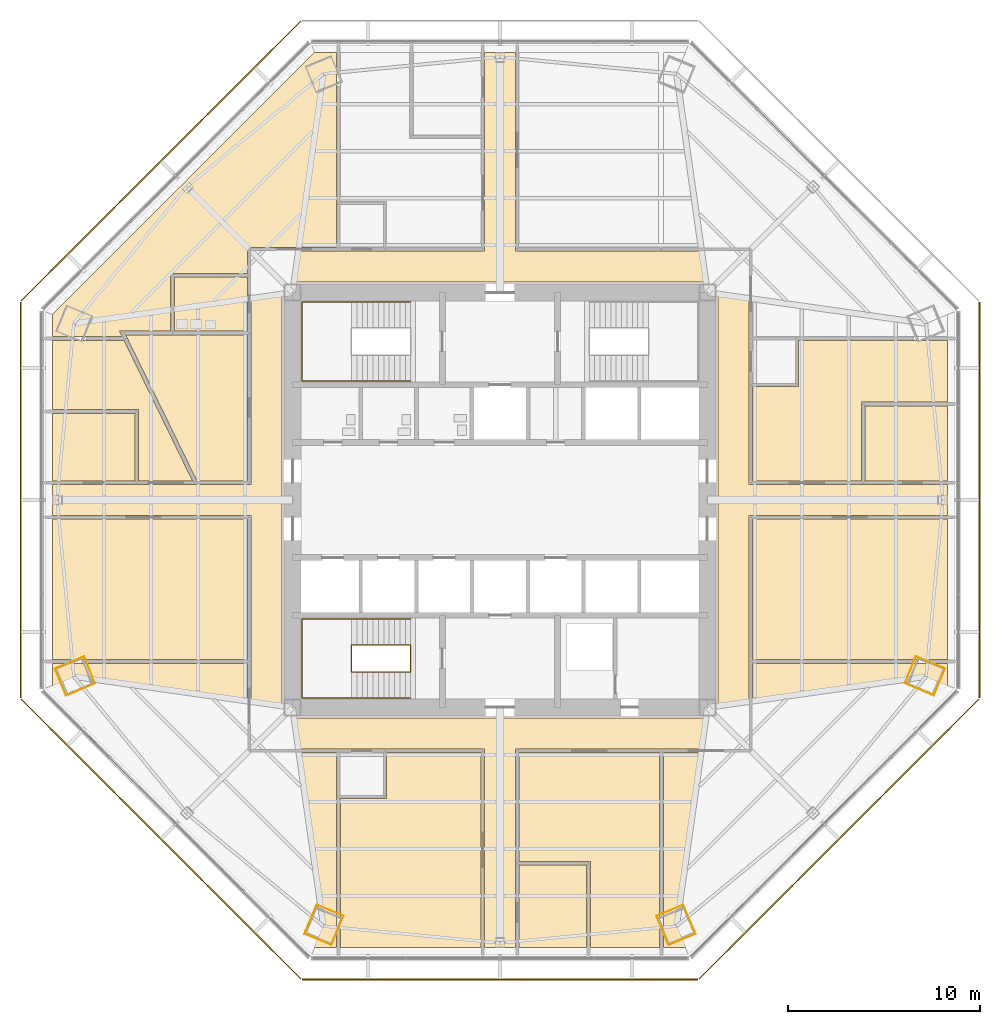
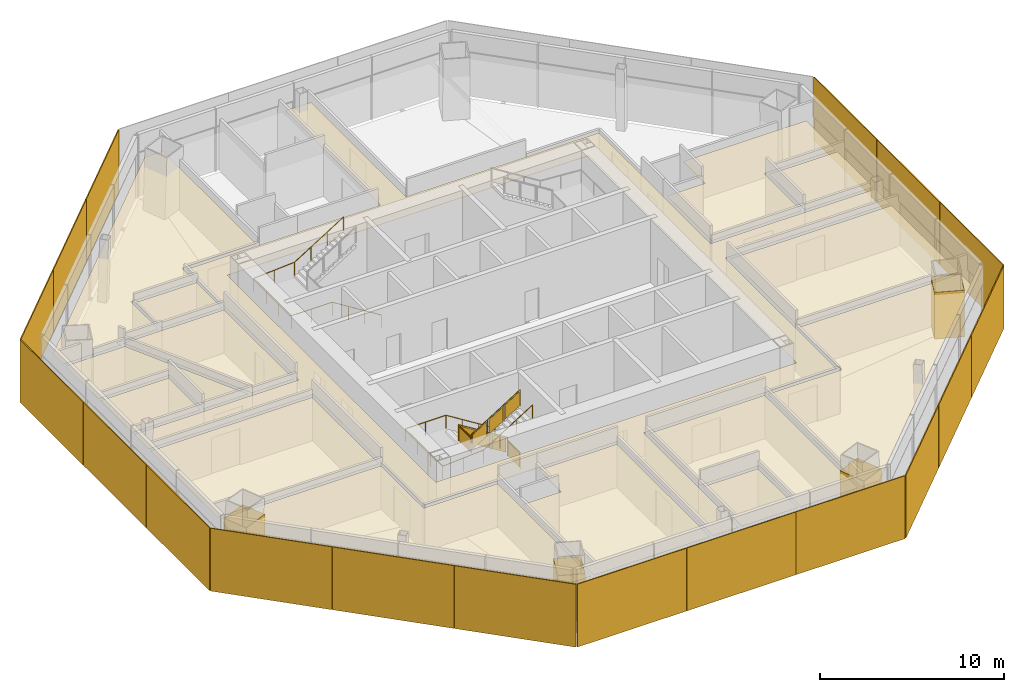
# One storey, part 12 of 14: 19 coverings, 18 shading devices, 3 railings.
"""IFC4 building model written with IfcOpenShell, lengths in metres."""

import ifcopenshell
import ifcopenshell.guid

model = None  # the IFC model being written
_history = None  # IfcOwnerHistory: only IFC2X3 demands one
_inside = {}  # id of a spatial element -> (the spatial element, [elements in it])
_under = {}  # id of a project, library or spatial element -> (it, [spatial elements below it])
_declared = {}  # id of a project -> (the project, [libraries it declares])
_typed = {}  # id of a type object -> (the type object, [elements of that type])
_made_of = {}  # id of a material, layer set ... -> (it, [elements and type objects made of it])


def new_model(schema):
    """Start an empty IFC model of exactly this schema.

    Asked for "IFC4X3", IfcOpenShell would pick the latest addendum, in which some entities
    have other attributes; the version numbers below select the first issue.
    IFC2X3 requires an IfcOwnerHistory on every rooted entity: one is made here for all.
    """
    global model, _history
    if schema == "IFC4X3":
        model = ifcopenshell.file(schema_version=(4, 3, 0, 0))
    else:
        model = ifcopenshell.file(schema=schema)
    _inside.clear()
    _under.clear()
    _declared.clear()
    _typed.clear()
    _made_of.clear()
    _history = None
    if model.schema == "IFC2X3":
        org = make("IfcOrganization", Name="unknown")
        user = make(
            "IfcPersonAndOrganization",
            ThePerson=make("IfcPerson", FamilyName="unknown"),
            TheOrganization=org,
        )
        app = make(
            "IfcApplication",
            ApplicationDeveloper=org,
            Version="unknown",
            ApplicationFullName="unknown",
            ApplicationIdentifier="unknown",
        )
        _history = make(
            "IfcOwnerHistory",
            OwningUser=user,
            OwningApplication=app,
            ChangeAction="ADDED",
            CreationDate=0,
        )
    return model


def make(cls, **values):
    """One entity of the class cls with the attributes given. An attribute that is None is left unset."""
    return model.create_entity(
        cls, **{name: value for name, value in values.items() if value is not None}
    )


def rooted(cls, **values):
    """An entity with a GlobalId (a new one), such as an element, a storey or a relation."""
    return make(cls, GlobalId=ifcopenshell.guid.new(), OwnerHistory=_history, **values)


def si_unit(unit_type, name, prefix=None):
    """IfcSIUnit, for example si_unit("LENGTHUNIT", "METRE", prefix="MILLI")."""
    return make("IfcSIUnit", UnitType=unit_type, Prefix=prefix, Name=name)


def assignment(units):
    """IfcUnitAssignment: the units of a project."""
    return None if units is None else make("IfcUnitAssignment", Units=units)


def point(xyz):
    """IfcCartesianPoint."""
    return None if xyz is None else make("IfcCartesianPoint", Coordinates=xyz)


def direction(xyz):
    """IfcDirection."""
    return None if xyz is None else make("IfcDirection", DirectionRatios=xyz)


def frame(location, z_axis=None, x_axis=None):
    """IfcAxis2Placement3D, a coordinate frame: its origin and axes. An axis left out is left unset."""
    return make(
        "IfcAxis2Placement3D",
        Location=point(location),
        Axis=direction(z_axis),
        RefDirection=direction(x_axis),
    )


def frame_2d(location, x_axis=None):
    """IfcAxis2Placement2D, a coordinate frame in the plane: its origin and x axis."""
    return make(
        "IfcAxis2Placement2D", Location=point(location), RefDirection=direction(x_axis)
    )


def origin():
    """The frame at (0, 0, 0) with its axes left unset."""
    return frame((0.0, 0.0, 0.0))


def origin_2d():
    """The frame at (0, 0) in the plane with its x axis left unset."""
    return frame_2d((0.0, 0.0))


def place(relative_to, where):
    """IfcLocalPlacement: puts the frame where relative to a parent placement (None: the world)."""
    return make(
        "IfcLocalPlacement", PlacementRelTo=relative_to, RelativePlacement=where
    )


def context(
    kind, dimensions, precision=None, world=None, true_north=None, identifier=None
):
    """IfcGeometricRepresentationContext, for example the 3D "Model" context."""
    return make(
        "IfcGeometricRepresentationContext",
        ContextIdentifier=identifier,
        ContextType=kind,
        CoordinateSpaceDimension=dimensions,
        Precision=precision,
        WorldCoordinateSystem=world,
        TrueNorth=true_north,
    )


def subcontext(parent, identifier, kind, view, scale=None):
    """IfcGeometricRepresentationSubContext, for example "Body" below "Model"."""
    return make(
        "IfcGeometricRepresentationSubContext",
        ContextIdentifier=identifier,
        ContextType=kind,
        ParentContext=parent,
        TargetScale=scale,
        TargetView=view,
    )


def project(units=None, contexts=None):
    """IfcProject with its units and contexts."""
    return rooted(
        "IfcProject",
        Name="project",
        RepresentationContexts=contexts,
        UnitsInContext=assignment(units),
    )


def spatial(cls, under=None, at=None, **own):
    """A site, building, storey or space (cls), placed at a placement, below another one or the project."""
    s = rooted(cls, ObjectPlacement=at, **own)
    if under is not None:
        _under.setdefault(under.id(), (under, []))[1].append(s)
    return s


def polyline(points):
    """IfcPolyline through the points."""
    return make("IfcPolyline", Points=[point(p) for p in points])


def profile(cls, at=None, kind="AREA", **sizes):
    """A parametric profile (cls). Its sizes go by their IFC names, for example OverallWidth=200.0."""
    return make(cls, ProfileType=kind, Position=at, **sizes)


def rectangle(**sizes):
    """IfcRectangleProfileDef."""
    return profile("IfcRectangleProfileDef", **sizes)


def circle(**sizes):
    """IfcCircleProfileDef."""
    return profile("IfcCircleProfileDef", **sizes)


def outline(outer, holes=None, kind="AREA"):
    """IfcArbitraryClosedProfileDef: a profile drawn as a closed curve; with holes, ...WithVoids."""
    if holes is None:
        return make("IfcArbitraryClosedProfileDef", ProfileType=kind, OuterCurve=outer)
    return make(
        "IfcArbitraryProfileDefWithVoids",
        ProfileType=kind,
        OuterCurve=outer,
        InnerCurves=holes,
    )


def extrude(swept, where, along, depth):
    """IfcExtrudedAreaSolid: the profile swept, set in the frame where, extruded along a direction by depth."""
    return make(
        "IfcExtrudedAreaSolid",
        SweptArea=swept,
        Position=where,
        ExtrudedDirection=direction(along),
        Depth=depth,
    )


def shape(context_of_items, identifier, shape_type, items):
    """IfcShapeRepresentation: the items that make up one representation, for example the "Body"."""
    return make(
        "IfcShapeRepresentation",
        ContextOfItems=context_of_items,
        RepresentationIdentifier=identifier,
        RepresentationType=shape_type,
        Items=items,
    )


def source(mapping_origin, context_of_items, identifier, shape_type, items):
    """IfcRepresentationMap: a shape defined once, which mapped items show again and again."""
    return make(
        "IfcRepresentationMap",
        MappingOrigin=mapping_origin,
        MappedRepresentation=shape(context_of_items, identifier, shape_type, items),
    )


def transform(
    local_origin,
    x_axis=None,
    y_axis=None,
    z_axis=None,
    scale=None,
    scale2=None,
    scale3=None,
    uniform=True,
):
    """IfcCartesianTransformationOperator3D, or its non-uniform kind. x_axis, y_axis, z_axis: its Axis1, 2, 3."""
    if uniform:
        return make(
            "IfcCartesianTransformationOperator3D",
            Axis1=direction(x_axis),
            Axis2=direction(y_axis),
            LocalOrigin=point(local_origin),
            Scale=scale,
            Axis3=direction(z_axis),
        )
    return make(
        "IfcCartesianTransformationOperator3DnonUniform",
        Axis1=direction(x_axis),
        Axis2=direction(y_axis),
        LocalOrigin=point(local_origin),
        Scale=scale,
        Axis3=direction(z_axis),
        Scale2=scale2,
        Scale3=scale3,
    )


def mapped(mapping_source, mapping_target):
    """IfcMappedItem: shows the shape of a source again, moved by a transform."""
    return make(
        "IfcMappedItem", MappingSource=mapping_source, MappingTarget=mapping_target
    )


def material(Name=None, Category=None):
    """IfcMaterial."""
    return make("IfcMaterial", Name=Name, Category=Category)


def layer(
    of_material, thickness, ventilated=None, Name=None, Category=None, Priority=None
):
    """IfcMaterialLayer: one layer of a wall or slab, of a material (None: an air gap)."""
    return make(
        "IfcMaterialLayer",
        Material=of_material,
        LayerThickness=thickness,
        IsVentilated=ventilated,
        Name=Name,
        Category=Category,
        Priority=Priority,
    )


def layer_set(layers, Name=None):
    """IfcMaterialLayerSet."""
    return make("IfcMaterialLayerSet", MaterialLayers=layers, LayerSetName=Name)


def made_of(thing, what):
    """Note that an element or type object is made of a material, layer set ...; save() writes the relation."""
    if what is not None:
        _made_of.setdefault(what.id(), (what, []))[1].append(thing)
    return thing


def type_object(cls, material=None, **own):
    """A type object (cls), such as IfcWallType, which elements share."""
    return made_of(rooted(cls, **own), material)


def type_shapes(of_type, sources):
    """Give a type object the sources (RepresentationMaps) that its elements show as mapped items."""
    of_type.RepresentationMaps = sources


def element(
    cls,
    number,
    at=None,
    inside=None,
    cuts=None,
    type_object=None,
    material=None,
    context=None,
    identifier="Body",
    shape_type=None,
    held_by="IfcProductDefinitionShape",
    body=None,
    shapes=None,
    **own,
):
    """One element of the class cls, such as IfcWall. Its Tag is "e" and its number.

    at: its placement. inside: the storey or other place that contains it. cuts: it is an
    opening in that element (IfcRelVoidsElement). A single representation is given by context,
    identifier, shape_type and body (its items); several are given by shapes. held_by: the class
    of the entity that holds the representations. save() writes the other relations.
    """
    e = rooted(cls, Tag="e%d" % number, ObjectPlacement=at, **own)
    if body is not None:
        shapes = [shape(context, identifier, shape_type, body)]
    if shapes is not None:
        e.Representation = make(held_by, Representations=shapes)
    if inside is not None:
        _inside.setdefault(inside.id(), (inside, []))[1].append(e)
    if cuts is not None:
        rooted(
            "IfcRelVoidsElement", RelatingBuildingElement=cuts, RelatedOpeningElement=e
        )
    if type_object is not None:
        _typed.setdefault(type_object.id(), (type_object, []))[1].append(e)
    return made_of(e, material)


def aggregate(whole, parts):
    """IfcRelAggregates: a whole, such as a stair, and the parts it consists of."""
    return rooted("IfcRelAggregates", RelatingObject=whole, RelatedObjects=parts)


def save(model, path):
    """Write the relations noted so far, then the file.

    IfcRelAggregates (storeys below a building ...), IfcRelContainedInSpatialStructure (elements
    in a storey), IfcRelDefinesByType, IfcRelAssociatesMaterial and IfcRelDeclares: one each for
    every whole, place, type object, material and project.
    """
    for whole, parts in _under.values():
        aggregate(whole, parts)
    for where, things in _inside.values():
        rooted(
            "IfcRelContainedInSpatialStructure",
            RelatedElements=things,
            RelatingStructure=where,
        )
    for kind, things in _typed.values():
        rooted("IfcRelDefinesByType", RelatedObjects=things, RelatingType=kind)
    for what, things in _made_of.values():
        rooted("IfcRelAssociatesMaterial", RelatedObjects=things, RelatingMaterial=what)
    for by, libraries in _declared.values():
        rooted("IfcRelDeclares", RelatingContext=by, RelatedDefinitions=libraries)
    model.write(path)


model = new_model("IFC4")

# Units and contexts
model_context = context("Model", 3, precision=1e-05, world=origin(), true_north=direction((0.0, 1.0)))
body_context = subcontext(model_context, "Body", "Model", "MODEL_VIEW")
ifc_project = project(units=[si_unit("LENGTHUNIT", "METRE"), si_unit("AREAUNIT", "SQUARE_METRE"), si_unit("VOLUMEUNIT", "CUBIC_METRE"), si_unit("PLANEANGLEUNIT", "RADIAN"), si_unit("MASSUNIT", "GRAM", prefix="KILO")], contexts=[model_context])

# Site, building, storey
site_placement = place(None, origin())
site = spatial("IfcSite", under=ifc_project, at=site_placement, CompositionType="ELEMENT")
building_placement = place(site_placement, origin())
building = spatial("IfcBuilding", under=site, at=building_placement, Name="Mashrafa Tower", CompositionType="ELEMENT")
storey_placement = place(building_placement, frame((0.0, 0.0, 147.0)))
storey = spatial("IfcBuildingStorey", under=building, at=storey_placement, Name="L33", CompositionType="ELEMENT", Elevation=147.0)

# Coverings
ifc_material_1 = material(Name="Gypsum board")
ifc_layer_1 = layer(ifc_material_1, 0.014892578125)
ifc_layer_set_1 = layer_set([ifc_layer_1], Name="Column casing plasterboard 15")
covering_type_1 = type_object("IfcCoveringType", Name="Column casing plasterboard 15", PredefinedType="CLADDING", material=ifc_layer_set_1)
covering_1_placement = place(storey_placement, origin())
element("IfcCovering", 1, at=covering_1_placement, inside=storey, type_object=covering_type_1, Name="Column casing L33-001", PredefinedType="CLADDING", context=body_context, shape_type="SweptSolid", body=[
    extrude(outline(polyline([(-23.177978515625, -8.772705078125), (-21.777587890625, -8.192626953125), (-21.64501953125, -8.1376953125), (-21.059326171875, -9.551025390625), (-22.459716796875, -10.131103515625), (-22.59228515625, -10.18603515625), (-23.177978515625, -8.772705078125)]), holes=[polyline([(-22.465576171875, -10.1171875), (-21.0791015625, -9.54296875), (-21.653076171875, -8.1572265625), (-21.77197265625, -8.206298828125), (-23.158203125, -8.78076171875), (-22.584228515625, -10.16650390625), (-22.465576171875, -10.1171875)])]), origin(), (0.0, 0.0, 1.0), 3.097900390625),
])
covering_2_placement = place(storey_placement, origin())
element("IfcCovering", 2, at=covering_2_placement, inside=storey, type_object=covering_type_1, Name="Column casing L33-002", PredefinedType="CLADDING", context=body_context, shape_type="SweptSolid", body=[
    extrude(outline(polyline([(-10.18603515625, -22.59228515625), (-10.131103515625, -22.459716796875), (-9.551025390625, -21.059326171875), (-8.1376953125, -21.64501953125), (-8.192626953125, -21.777587890625), (-8.772705078125, -23.177978515625), (-10.18603515625, -22.59228515625)]), holes=[polyline([(-8.206298828125, -21.77197265625), (-8.1572265625, -21.653076171875), (-9.54296875, -21.0791015625), (-10.1171875, -22.465576171875), (-10.16650390625, -22.584228515625), (-8.78076171875, -23.158203125), (-8.206298828125, -21.77197265625)])]), origin(), (0.0, 0.0, 1.0), 3.097900390625),
])
covering_3_placement = place(storey_placement, origin())
element("IfcCovering", 3, at=covering_3_placement, inside=storey, type_object=covering_type_1, Name="Column casing L33-003", PredefinedType="CLADDING", context=body_context, shape_type="SweptSolid", body=[
    extrude(outline(polyline([(8.192626953125, -21.777587890625), (8.1376953125, -21.64501953125), (9.551025390625, -21.059326171875), (10.131103515625, -22.459716796875), (10.18603515625, -22.59228515625), (8.772705078125, -23.177978515625), (8.192626953125, -21.777587890625)]), holes=[polyline([(10.16650390625, -22.584228515625), (10.1171875, -22.465576171875), (9.54296875, -21.0791015625), (8.1572265625, -21.653076171875), (8.206298828125, -21.77197265625), (8.78076171875, -23.158203125), (10.16650390625, -22.584228515625)])]), origin(), (0.0, 0.0, 1.0), 3.097900390625),
])
covering_4_placement = place(storey_placement, origin())
element("IfcCovering", 4, at=covering_4_placement, inside=storey, type_object=covering_type_1, Name="Column casing L33-004", PredefinedType="CLADDING", context=body_context, shape_type="SweptSolid", body=[
    extrude(outline(polyline([(22.459716796875, -10.131103515625), (21.059326171875, -9.551025390625), (21.64501953125, -8.1376953125), (21.777587890625, -8.192626953125), (23.177978515625, -8.772705078125), (22.59228515625, -10.18603515625), (22.459716796875, -10.131103515625)]), holes=[polyline([(23.158203125, -8.78076171875), (21.77197265625, -8.206298828125), (21.653076171875, -8.1572265625), (21.0791015625, -9.54296875), (22.465576171875, -10.1171875), (22.584228515625, -10.16650390625), (23.158203125, -8.78076171875)])]), origin(), (0.0, 0.0, 1.0), 3.097900390625),
])

# Railings
ifc_material_2 = material(Name="Steel guard with glass infill", Category="steel")
railing_type_1 = type_object("IfcRailingType", Name="Stair guard 1100", PredefinedType="GUARDRAIL", material=ifc_material_2)
railing_1_placement = place(storey_placement, frame((-4.64990234375, -8.949951171875, 0.0)))
element("IfcRailing", 5, at=railing_1_placement, inside=storey, type_object=railing_type_1, Name="Stair S3 guard L33", PredefinedType="GUARDRAIL", context=body_context, shape_type="SweptSolid", body=[
    extrude(circle(Radius=0.02392578125, at=origin_2d()), frame((0.0, 0.0, 1.076171875), z_axis=(0.0, 1.0, 0.0), x_axis=(-1.0, 0.0, 0.0)), (0.0, 0.0, 1.0), 1.39990234375),
    extrude(circle(Radius=0.02392578125, at=origin_2d()), frame((0.0, 1.39990234375, 1.076171875), z_axis=(0.0, 0.0, 1.0), x_axis=(1.0, 0.0, 0.0)), (0.0, 0.0, 1.0), 0.175048828125),
    extrude(circle(Radius=0.02392578125, at=origin_2d()), frame((0.0, 1.39990234375, 1.2509765625), z_axis=(-0.847998304005, 0.0, 0.529998940003), x_axis=(0.0, -1.0, 0.0)), (0.0, 0.0, 1.0), 3.632080078125),
    extrude(circle(Radius=0.02392578125, at=origin_2d()), frame((-3.080078125, 1.39990234375, 3.17626953125), z_axis=(0.0, -1.0, 0.0), x_axis=(1.0, 0.0, 0.0)), (0.0, 0.0, 1.0), 1.39990234375),
    extrude(circle(Radius=0.02392578125, at=origin_2d()), frame((-3.080078125, 0.0, 3.17626953125), z_axis=(0.0, 0.0, 1.0), x_axis=(1.0, 0.0, 0.0)), (0.0, 0.0, 1.0), 0.1748046875),
    extrude(circle(Radius=0.02392578125, at=origin_2d()), frame((-3.080078125, 0.0, 3.35107421875), z_axis=(0.847998304005, 0.0, 0.529998940003), x_axis=(0.0, 1.0, 0.0)), (0.0, 0.0, 1.0), 3.632080078125),
    extrude(circle(Radius=0.02099609375, at=origin_2d()), origin(), (0.0, 0.0, 1.0), 1.052001953125),
    extrude(circle(Radius=0.02099609375, at=origin_2d()), frame((0.0, 1.39990234375, 0.0)), (0.0, 0.0, 1.0), 1.052001953125),
    extrude(circle(Radius=0.02099609375, at=origin_2d()), frame((0.0, 1.39990234375, 0.175048828125)), (0.0, 0.0, 1.0), 1.052001953125),
    extrude(circle(Radius=0.02099609375, at=origin_2d()), frame((-1.026611328125, 1.39990234375, 0.816650390625)), (0.0, 0.0, 1.0), 1.052001953125),
    extrude(circle(Radius=0.02099609375, at=origin_2d()), frame((-2.053466796875, 1.39990234375, 1.45849609375)), (0.0, 0.0, 1.0), 1.052001953125),
    extrude(circle(Radius=0.02099609375, at=origin_2d()), frame((-3.080078125, 1.39990234375, 2.10009765625)), (0.0, 0.0, 1.0), 1.052001953125),
    extrude(circle(Radius=0.02099609375, at=origin_2d()), frame((-3.080078125, 0.0, 2.10009765625)), (0.0, 0.0, 1.0), 1.052001953125),
    extrude(circle(Radius=0.02099609375, at=origin_2d()), frame((-3.080078125, 0.0, 2.27490234375)), (0.0, 0.0, 1.0), 1.052001953125),
    extrude(circle(Radius=0.02099609375, at=origin_2d()), frame((-2.053466796875, 0.0, 2.91650390625)), (0.0, 0.0, 1.0), 1.052001953125),
    extrude(circle(Radius=0.02099609375, at=origin_2d()), frame((-1.026611328125, 0.0, 3.558349609375)), (0.0, 0.0, 1.0), 1.052001953125),
    extrude(circle(Radius=0.02099609375, at=origin_2d()), frame((0.0, 0.0, 4.199951171875)), (0.0, 0.0, 1.0), 1.052001953125),
    extrude(outline(polyline([(0.071044921875, 0.050048828125), (1.328857421875, 0.050048828125), (1.328857421875, 1.001953125), (0.071044921875, 1.001953125), (0.071044921875, 0.050048828125)])), frame((0.006103515625, 0.0, 0.0), z_axis=(1.0, 0.0, 0.0), x_axis=(0.0, 1.0, 0.0)), (0.0, 0.0, 1.0), 0.011962890625),
    extrude(outline(polyline([(0.071044921875, 0.094482421875), (0.955810546875, 0.647216796875), (0.955810546875, 1.599365234375), (0.071044921875, 1.04638671875), (0.071044921875, 0.094482421875)])), frame((0.0, 1.406005859375, 0.175048828125), z_axis=(0.0, 1.0, 0.0), x_axis=(-1.0, 0.0, 0.0)), (0.0, 0.0, 1.0), 0.011962890625),
    extrude(outline(polyline([(1.09765625, 0.736083984375), (1.982421875, 1.2890625), (1.982421875, 2.240966796875), (1.09765625, 1.68798828125), (1.09765625, 0.736083984375)])), frame((0.0, 1.406005859375, 0.175048828125), z_axis=(0.0, 1.0, 0.0), x_axis=(-1.0, 0.0, 0.0)), (0.0, 0.0, 1.0), 0.011962890625),
    extrude(outline(polyline([(2.124267578125, 1.377685546875), (3.009033203125, 1.9306640625), (3.009033203125, 2.882568359375), (2.124267578125, 2.329833984375), (2.124267578125, 1.377685546875)])), frame((0.0, 1.406005859375, 0.175048828125), z_axis=(0.0, 1.0, 0.0), x_axis=(-1.0, 0.0, 0.0)), (0.0, 0.0, 1.0), 0.011962890625),
    extrude(outline(polyline([(0.071044921875, 0.050048828125), (1.328857421875, 0.050048828125), (1.328857421875, 1.001953125), (0.071044921875, 1.001953125), (0.071044921875, 0.050048828125)])), frame((-3.086181640625, 1.39990234375, 2.10009765625), z_axis=(-1.0, 0.0, 0.0), x_axis=(0.0, -1.0, 0.0)), (0.0, 0.0, 1.0), 0.011962890625),
    extrude(outline(polyline([(0.071044921875, 0.094482421875), (0.955810546875, 0.647216796875), (0.955810546875, 1.599365234375), (0.071044921875, 1.04638671875), (0.071044921875, 0.094482421875)])), frame((-3.080078125, -0.006103515625, 2.27490234375), z_axis=(0.0, -1.0, 0.0), x_axis=(1.0, 0.0, 0.0)), (0.0, 0.0, 1.0), 0.011962890625),
    extrude(outline(polyline([(1.09765625, 0.736083984375), (1.982421875, 1.2890625), (1.982421875, 2.240966796875), (1.09765625, 1.68798828125), (1.09765625, 0.736083984375)])), frame((-3.080078125, -0.006103515625, 2.27490234375), z_axis=(0.0, -1.0, 0.0), x_axis=(1.0, 0.0, 0.0)), (0.0, 0.0, 1.0), 0.011962890625),
    extrude(outline(polyline([(2.124267578125, 1.377685546875), (3.009033203125, 1.9306640625), (3.009033203125, 2.882568359375), (2.124267578125, 2.329833984375), (2.124267578125, 1.377685546875)])), frame((-3.080078125, -0.006103515625, 2.27490234375), z_axis=(0.0, -1.0, 0.0), x_axis=(1.0, 0.0, 0.0)), (0.0, 0.0, 1.0), 0.011962890625),
])
ifc_material_3 = material(Name="Steel", Category="steel")
railing_type_2 = type_object("IfcRailingType", Name="Stair handrail 900", PredefinedType="HANDRAIL", material=ifc_material_3)
railing_2_placement = place(storey_placement, frame((-4.64990234375, 6.199951171875, 0.175048828125)))
element("IfcRailing", 6, at=railing_2_placement, inside=storey, type_object=railing_type_2, Name="Stair S1 handrail L33", PredefinedType="HANDRAIL", context=body_context, shape_type="SweptSolid", body=[
    extrude(circle(Radius=0.02392578125, at=origin_2d()), frame((0.0, 0.0, 0.8759765625), z_axis=(-0.847998304005, 0.0, 0.529998940003), x_axis=(0.0, -1.0, 0.0)), (0.0, 0.0, 1.0), 3.632080078125),
    extrude(circle(Radius=0.02392578125, at=origin_2d()), frame((-3.080078125, 0.0, 2.80078125), z_axis=(-1.0, 0.0, 0.0), x_axis=(0.0, -1.0, 0.0)), (0.0, 0.0, 1.0), 2.570068359375),
    extrude(circle(Radius=0.02392578125, at=origin_2d()), frame((-5.650146484375, 0.0, 2.80078125), z_axis=(0.0, 1.0, 0.0), x_axis=(-1.0, 0.0, 0.0)), (0.0, 0.0, 1.0), 4.10009765625),
    extrude(circle(Radius=0.02392578125, at=origin_2d()), frame((-5.650146484375, 4.10009765625, 2.80078125), z_axis=(0.99769493506, 0.0, 0.067858798661), x_axis=(0.0, 1.0, 0.0)), (0.0, 0.0, 1.0), 2.575927734375),
    extrude(circle(Radius=0.02392578125, at=origin_2d()), frame((-3.080078125, 4.10009765625, 2.9755859375), z_axis=(0.847998304005, 0.0, 0.529998940003), x_axis=(0.0, 1.0, 0.0)), (0.0, 0.0, 1.0), 3.632080078125),
    extrude(circle(Radius=0.02099609375, at=origin_2d()), origin(), (0.0, 0.0, 1.0), 0.851806640625),
    extrude(circle(Radius=0.02099609375, at=origin_2d()), frame((-1.026611328125, 0.0, 0.6416015625)), (0.0, 0.0, 1.0), 0.851806640625),
    extrude(circle(Radius=0.02099609375, at=origin_2d()), frame((-2.053466796875, 0.0, 1.283447265625)), (0.0, 0.0, 1.0), 0.851806640625),
    extrude(circle(Radius=0.02099609375, at=origin_2d()), frame((-3.080078125, 0.0, 1.925048828125)), (0.0, 0.0, 1.0), 0.851806640625),
    extrude(circle(Radius=0.02099609375, at=origin_2d()), frame((-4.365234375, 0.0, 1.925048828125)), (0.0, 0.0, 1.0), 0.851806640625),
    extrude(circle(Radius=0.02099609375, at=origin_2d()), frame((-5.650146484375, 0.0, 1.925048828125)), (0.0, 0.0, 1.0), 0.851806640625),
    extrude(circle(Radius=0.02099609375, at=origin_2d()), frame((-5.650146484375, 1.36669921875, 1.925048828125)), (0.0, 0.0, 1.0), 0.851806640625),
    extrude(circle(Radius=0.02099609375, at=origin_2d()), frame((-5.650146484375, 2.7333984375, 1.925048828125)), (0.0, 0.0, 1.0), 0.851806640625),
    extrude(circle(Radius=0.02099609375, at=origin_2d()), frame((-5.650146484375, 4.10009765625, 1.925048828125)), (0.0, 0.0, 1.0), 0.851806640625),
    extrude(circle(Radius=0.02099609375, at=origin_2d()), frame((-4.365234375, 4.10009765625, 2.012451171875)), (0.0, 0.0, 1.0), 0.851806640625),
    extrude(circle(Radius=0.02099609375, at=origin_2d()), frame((-3.080078125, 4.10009765625, 2.099853515625)), (0.0, 0.0, 1.0), 0.851806640625),
    extrude(circle(Radius=0.02099609375, at=origin_2d()), frame((-2.053466796875, 4.10009765625, 2.741455078125)), (0.0, 0.0, 1.0), 0.851806640625),
    extrude(circle(Radius=0.02099609375, at=origin_2d()), frame((-1.026611328125, 4.10009765625, 3.38330078125)), (0.0, 0.0, 1.0), 0.851806640625),
    extrude(circle(Radius=0.02099609375, at=origin_2d()), frame((0.0, 4.10009765625, 4.02490234375)), (0.0, 0.0, 1.0), 0.851806640625),
])
railing_3_placement = place(storey_placement, frame((-4.64990234375, -6.199951171875, 0.175048828125)))
element("IfcRailing", 7, at=railing_3_placement, inside=storey, type_object=railing_type_2, Name="Stair S3 handrail L33", PredefinedType="HANDRAIL", context=body_context, shape_type="SweptSolid", body=[
    extrude(circle(Radius=0.02392578125, at=origin_2d()), frame((0.0, 0.0, 0.8759765625), z_axis=(-0.847998304005, 0.0, 0.529998940003), x_axis=(0.0, -1.0, 0.0)), (0.0, 0.0, 1.0), 3.632080078125),
    extrude(circle(Radius=0.02392578125, at=origin_2d()), frame((-3.080078125, 0.0, 2.80078125), z_axis=(-1.0, 0.0, 0.0), x_axis=(0.0, -1.0, 0.0)), (0.0, 0.0, 1.0), 2.570068359375),
    extrude(circle(Radius=0.02392578125, at=origin_2d()), frame((-5.650146484375, 0.0, 2.80078125), z_axis=(0.0, -1.0, 0.0), x_axis=(1.0, 0.0, 0.0)), (0.0, 0.0, 1.0), 4.10009765625),
    extrude(circle(Radius=0.02392578125, at=origin_2d()), frame((-5.650146484375, -4.10009765625, 2.80078125), z_axis=(0.99769493506, 0.0, 0.067858798661), x_axis=(0.0, 1.0, 0.0)), (0.0, 0.0, 1.0), 2.575927734375),
    extrude(circle(Radius=0.02392578125, at=origin_2d()), frame((-3.080078125, -4.10009765625, 2.9755859375), z_axis=(0.847998304005, 0.0, 0.529998940003), x_axis=(0.0, 1.0, 0.0)), (0.0, 0.0, 1.0), 3.632080078125),
    extrude(circle(Radius=0.02099609375, at=origin_2d()), origin(), (0.0, 0.0, 1.0), 0.851806640625),
    extrude(circle(Radius=0.02099609375, at=origin_2d()), frame((-1.026611328125, 0.0, 0.6416015625)), (0.0, 0.0, 1.0), 0.851806640625),
    extrude(circle(Radius=0.02099609375, at=origin_2d()), frame((-2.053466796875, 0.0, 1.283447265625)), (0.0, 0.0, 1.0), 0.851806640625),
    extrude(circle(Radius=0.02099609375, at=origin_2d()), frame((-3.080078125, 0.0, 1.925048828125)), (0.0, 0.0, 1.0), 0.851806640625),
    extrude(circle(Radius=0.02099609375, at=origin_2d()), frame((-4.365234375, 0.0, 1.925048828125)), (0.0, 0.0, 1.0), 0.851806640625),
    extrude(circle(Radius=0.02099609375, at=origin_2d()), frame((-5.650146484375, 0.0, 1.925048828125)), (0.0, 0.0, 1.0), 0.851806640625),
    extrude(circle(Radius=0.02099609375, at=origin_2d()), frame((-5.650146484375, -1.36669921875, 1.925048828125)), (0.0, 0.0, 1.0), 0.851806640625),
    extrude(circle(Radius=0.02099609375, at=origin_2d()), frame((-5.650146484375, -2.7333984375, 1.925048828125)), (0.0, 0.0, 1.0), 0.851806640625),
    extrude(circle(Radius=0.02099609375, at=origin_2d()), frame((-5.650146484375, -4.10009765625, 1.925048828125)), (0.0, 0.0, 1.0), 0.851806640625),
    extrude(circle(Radius=0.02099609375, at=origin_2d()), frame((-4.365234375, -4.10009765625, 2.012451171875)), (0.0, 0.0, 1.0), 0.851806640625),
    extrude(circle(Radius=0.02099609375, at=origin_2d()), frame((-3.080078125, -4.10009765625, 2.099853515625)), (0.0, 0.0, 1.0), 0.851806640625),
    extrude(circle(Radius=0.02099609375, at=origin_2d()), frame((-2.053466796875, -4.10009765625, 2.741455078125)), (0.0, 0.0, 1.0), 0.851806640625),
    extrude(circle(Radius=0.02099609375, at=origin_2d()), frame((-1.026611328125, -4.10009765625, 3.38330078125)), (0.0, 0.0, 1.0), 0.851806640625),
    extrude(circle(Radius=0.02099609375, at=origin_2d()), frame((0.0, -4.10009765625, 4.02490234375)), (0.0, 0.0, 1.0), 0.851806640625),
])

# Coverings
ifc_material_4 = material(Name="Mineral fibre tile on suspension grid")
ifc_layer_2 = layer(ifc_material_4, 0.014892578125)
ifc_layer_set_2 = layer_set([ifc_layer_2], Name="Suspended ceiling mineral tile 15")
covering_type_2 = type_object("IfcCoveringType", Name="Suspended ceiling mineral tile 15", PredefinedType="CEILING", material=ifc_layer_set_2)
covering_5_placement = place(storey_placement, frame((0.0, 0.0, 2.89990234375)))
element("IfcCovering", 8, at=covering_5_placement, inside=storey, type_object=covering_type_2, Name="Ceiling Office Corridor L33", PredefinedType="CEILING", context=body_context, shape_type="SweptSolid", body=[
    extrude(outline(polyline([(-12.949951171875, -12.949951171875), (-12.949951171875, -0.800048828125), (-23.306396484375, -0.800048828125), (-23.306396484375, 0.800048828125), (-12.949951171875, 0.800048828125), (-12.949951171875, 12.949951171875), (-0.800048828125, 12.949951171875), (-0.800048828125, 23.306396484375), (0.800048828125, 23.306396484375), (0.800048828125, 12.949951171875), (12.949951171875, 12.949951171875), (12.949951171875, 0.800048828125), (23.306396484375, 0.800048828125), (23.306396484375, -0.800048828125), (12.949951171875, -0.800048828125), (12.949951171875, -12.949951171875), (0.800048828125, -12.949951171875), (0.800048828125, -23.306396484375), (-0.800048828125, -23.306396484375), (-0.800048828125, -12.949951171875), (-12.949951171875, -12.949951171875)]), holes=[polyline([(11.35009765625, 11.35009765625), (-11.35009765625, 11.35009765625), (-11.35009765625, -11.35009765625), (11.35009765625, -11.35009765625), (11.35009765625, 11.35009765625)])]), origin(), (0.0, 0.0, 1.0), 0.01513671875),
])
covering_6_placement = place(storey_placement, frame((0.0, 0.0, 2.89990234375)))
element("IfcCovering", 9, at=covering_6_placement, inside=storey, type_object=covering_type_2, Name="Ceiling Musallah Prayer Room 33", PredefinedType="CEILING", context=body_context, shape_type="SweptSolid", body=[
    extrude(outline(polyline([(-15.783203125, 1.0), (-19.489990234375, 8.60009765625), (-13.14990234375, 8.60009765625), (-13.14990234375, 1.0), (-15.783203125, 1.0)])), origin(), (0.0, 0.0, 1.0), 0.01513671875),
])
covering_7_placement = place(storey_placement, frame((0.0, 0.0, 2.89990234375)))
element("IfcCovering", 10, at=covering_7_placement, inside=storey, type_object=covering_type_2, Name="Ceiling Ablution Room L33", PredefinedType="CEILING", context=body_context, shape_type="SweptSolid", body=[
    extrude(outline(polyline([(-16.949951171875, 8.800048828125), (-16.949951171875, 11.60009765625), (-13.14990234375, 11.60009765625), (-13.14990234375, 8.800048828125), (-16.949951171875, 8.800048828125)])), origin(), (0.0, 0.0, 1.0), 0.01513671875),
])
covering_8_placement = place(storey_placement, frame((0.0, 0.0, 2.89990234375)))
element("IfcCovering", 11, at=covering_8_placement, inside=storey, type_object=covering_type_2, Name="Ceiling Meeting Room 33-E", PredefinedType="CEILING", context=body_context, shape_type="SweptSolid", body=[
    extrude(outline(polyline([(19.00634765625, 4.89990234375), (23.306396484375, 4.89990234375), (23.306396484375, 1.0), (19.00634765625, 1.0), (19.00634765625, 4.89990234375)])), origin(), (0.0, 0.0, 1.0), 0.01513671875),
])
covering_9_placement = place(storey_placement, frame((0.0, 0.0, 2.89990234375)))
element("IfcCovering", 12, at=covering_9_placement, inside=storey, type_object=covering_type_2, Name="Ceiling Meeting Room 33-S", PredefinedType="CEILING", context=body_context, shape_type="SweptSolid", body=[
    extrude(outline(polyline([(1.0, -19.00634765625), (4.5, -19.00634765625), (4.5, -23.306396484375), (1.0, -23.306396484375), (1.0, -19.00634765625)])), origin(), (0.0, 0.0, 1.0), 0.01513671875),
])
covering_10_placement = place(storey_placement, frame((0.0, 0.0, 2.89990234375)))
element("IfcCovering", 13, at=covering_10_placement, inside=storey, type_object=covering_type_2, Name="Ceiling Meeting Room 33-W", PredefinedType="CEILING", context=body_context, shape_type="SweptSolid", body=[
    extrude(outline(polyline([(-19.00634765625, 4.5), (-19.00634765625, 1.0), (-23.306396484375, 1.0), (-23.306396484375, 4.5), (-19.00634765625, 4.5)])), origin(), (0.0, 0.0, 1.0), 0.01513671875),
])
covering_11_placement = place(storey_placement, frame((0.0, 0.0, 2.89990234375)))
element("IfcCovering", 14, at=covering_11_placement, inside=storey, type_object=covering_type_2, Name="Ceiling Office Suite 33-NE21", PredefinedType="CEILING", context=body_context, shape_type="SweptSolid", body=[
    extrude(outline(polyline([(15.550048828125, 8.300048828125), (23.306396484375, 8.300048828125), (23.306396484375, 5.10009765625), (18.806396484375, 5.10009765625), (18.806396484375, 1.0), (13.14990234375, 1.0), (13.14990234375, 5.89990234375), (15.550048828125, 5.89990234375), (15.550048828125, 8.300048828125)])), origin(), (0.0, 0.0, 1.0), 0.01513671875),
])
covering_12_placement = place(storey_placement, frame((0.0, 0.0, 2.89990234375)))
element("IfcCovering", 15, at=covering_12_placement, inside=storey, type_object=covering_type_2, Name="Ceiling Office Suite 33-NW21", PredefinedType="CEILING", context=body_context, shape_type="SweptSolid", body=[
    extrude(outline(polyline([(-23.306396484375, 4.699951171875), (-23.306396484375, 8.300048828125), (-19.566162109375, 8.300048828125), (-16.005615234375, 1.0), (-18.806396484375, 1.0), (-18.806396484375, 4.699951171875), (-23.306396484375, 4.699951171875)])), origin(), (0.0, 0.0, 1.0), 0.01513671875),
])
covering_13_placement = place(storey_placement, frame((0.0, 0.0, 2.89990234375)))
element("IfcCovering", 16, at=covering_13_placement, inside=storey, type_object=covering_type_2, Name="Ceiling Office Suite 33-NW22", PredefinedType="CEILING", context=body_context, shape_type="SweptSolid", body=[
    extrude(outline(polyline([(-19.663818359375, 8.5), (-23.306396484375, 8.5), (-23.306396484375, 9.65380859375), (-9.65380859375, 23.306396484375), (-8.5, 23.306396484375), (-8.5, 13.14990234375), (-13.14990234375, 13.14990234375), (-13.14990234375, 11.800048828125), (-17.14990234375, 11.800048828125), (-17.14990234375, 8.800048828125), (-19.81005859375, 8.800048828125), (-19.663818359375, 8.5)])), origin(), (0.0, 0.0, 1.0), 0.01513671875),
])
covering_14_placement = place(storey_placement, frame((0.0, 0.0, 2.89990234375)))
element("IfcCovering", 17, at=covering_14_placement, inside=storey, type_object=covering_type_2, Name="Ceiling Office Suite 33-SW12", PredefinedType="CEILING", context=body_context, shape_type="SweptSolid", body=[
    extrude(outline(polyline([(-1.0, -23.306396484375), (-8.300048828125, -23.306396484375), (-8.300048828125, -15.550048828125), (-5.89990234375, -15.550048828125), (-5.89990234375, -13.14990234375), (-1.0, -13.14990234375), (-1.0, -23.306396484375)])), origin(), (0.0, 0.0, 1.0), 0.01513671875),
])
covering_15_placement = place(storey_placement, frame((0.0, 0.0, 2.89990234375)))
element("IfcCovering", 18, at=covering_15_placement, inside=storey, type_object=covering_type_2, Name="Ceiling Office Suite 33-SW21", PredefinedType="CEILING", context=body_context, shape_type="SweptSolid", body=[
    extrude(outline(polyline([(-13.14990234375, -8.300048828125), (-23.306396484375, -8.300048828125), (-23.306396484375, -1.0), (-13.14990234375, -1.0), (-13.14990234375, -8.300048828125)])), origin(), (0.0, 0.0, 1.0), 0.01513671875),
])
covering_16_placement = place(storey_placement, frame((0.0, 0.0, 2.89990234375)))
element("IfcCovering", 19, at=covering_16_placement, inside=storey, type_object=covering_type_2, Name="Ceiling Office Suite 33-SW22", PredefinedType="CEILING", context=body_context, shape_type="SweptSolid", body=[
    extrude(outline(polyline([(-13.14990234375, -13.14990234375), (-8.5, -13.14990234375), (-8.5, -23.306396484375), (-9.65380859375, -23.306396484375), (-23.306396484375, -9.65380859375), (-23.306396484375, -8.5), (-13.14990234375, -8.5), (-13.14990234375, -13.14990234375)])), origin(), (0.0, 0.0, 1.0), 0.01513671875),
])
covering_17_placement = place(storey_placement, frame((0.0, 0.0, 2.89990234375)))
element("IfcCovering", 20, at=covering_17_placement, inside=storey, type_object=covering_type_2, Name="Ceiling Office Suite 33-SE12", PredefinedType="CEILING", context=body_context, shape_type="SweptSolid", body=[
    extrude(outline(polyline([(8.300048828125, -13.14990234375), (8.300048828125, -23.306396484375), (4.699951171875, -23.306396484375), (4.699951171875, -18.806396484375), (1.0, -18.806396484375), (1.0, -13.14990234375), (8.300048828125, -13.14990234375)])), origin(), (0.0, 0.0, 1.0), 0.01513671875),
])
covering_18_placement = place(storey_placement, frame((0.0, 0.0, 2.89990234375)))
element("IfcCovering", 21, at=covering_18_placement, inside=storey, type_object=covering_type_2, Name="Ceiling Office Suite 33-SE21", PredefinedType="CEILING", context=body_context, shape_type="SweptSolid", body=[
    extrude(outline(polyline([(23.306396484375, -1.0), (23.306396484375, -8.300048828125), (13.14990234375, -8.300048828125), (13.14990234375, -1.0), (23.306396484375, -1.0)])), origin(), (0.0, 0.0, 1.0), 0.01513671875),
])
covering_19_placement = place(storey_placement, frame((0.0, 0.0, 2.89990234375)))
element("IfcCovering", 22, at=covering_19_placement, inside=storey, type_object=covering_type_2, Name="Ceiling Office Suite 33-SE22", PredefinedType="CEILING", context=body_context, shape_type="SweptSolid", body=[
    extrude(outline(polyline([(13.14990234375, -8.5), (23.306396484375, -8.5), (23.306396484375, -9.65380859375), (9.65380859375, -23.306396484375), (8.5, -23.306396484375), (8.5, -13.14990234375), (13.14990234375, -13.14990234375), (13.14990234375, -8.5)])), origin(), (0.0, 0.0, 1.0), 0.01513671875),
])

# Shading devices
ifc_material_5 = material(Name="Perforated aluminium plate, eight-point star pattern", Category="aluminium")
ifc_layer_3 = layer(ifc_material_5, 0.06005859375)
ifc_layer_set_3 = layer_set([ifc_layer_3], Name="Mashrabiya screen panel office zone 2, 40 percent open")
shading_device_type = type_object("IfcShadingDeviceType", Name="Mashrabiya screen panel office zone 2, 40 percent open", PredefinedType="SHUTTER", material=ifc_layer_set_3)
shared_shape = source(origin(), body_context, "Body", "SweptSolid", [
    extrude(rectangle(XDim=6.8564453125, YDim=0.06005859375, at=origin_2d()), origin(), (0.0, 0.0, 1.0), 4.179931640625),
])
type_shapes(shading_device_type, [shared_shape])
for number, where, z_axis, x_axis, name in (
    (23, (24.956298828125, -6.87646484375, -0.14990234375), (0.0, 0.0, 1.0), (0.0, 1.0, 0.0), "Mashrabiya screen L33 east 1"),
    (24, (24.956298828125, 0.0, -0.14990234375), (0.0, 0.0, 1.0), (0.0, 1.0, 0.0), "Mashrabiya screen L33 east 2"),
    (25, (24.956298828125, 6.87646484375, -0.14990234375), (0.0, 0.0, 1.0), (0.0, 1.0, 0.0), "Mashrabiya screen L33 east 3"),
    (26, (-12.784423828125, 22.50927734375, -0.14990234375), (0.0, 0.0, 1.0), (-0.707106781187, -0.707106781187, 0.0), "Mashrabiya screen L33 north-west 1"),
    (27, (-17.646728515625, 17.646728515625, -0.14990234375), (0.0, 0.0, 1.0), (-0.707106781187, -0.707106781187, 0.0), "Mashrabiya screen L33 north-west 2"),
    (28, (-22.50927734375, 12.784423828125, -0.14990234375), (0.0, 0.0, 1.0), (-0.707106781187, -0.707106781187, 0.0), "Mashrabiya screen L33 north-west 3"),
    (29, (-24.956298828125, 6.87646484375, -0.14990234375), (0.0, 0.0, 1.0), (0.0, -1.0, 0.0), "Mashrabiya screen L33 west 1"),
    (30, (-24.956298828125, 0.0, -0.14990234375), (0.0, 0.0, 1.0), (0.0, -1.0, 0.0), "Mashrabiya screen L33 west 2"),
    (31, (-24.956298828125, -6.87646484375, -0.14990234375), (0.0, 0.0, 1.0), (0.0, -1.0, 0.0), "Mashrabiya screen L33 west 3"),
    (32, (-22.50927734375, -12.784423828125, -0.14990234375), (0.0, 0.0, 1.0), (0.707106781187, -0.707106781187, 0.0), "Mashrabiya screen L33 south-west 1"),
    (33, (-17.646728515625, -17.646728515625, -0.14990234375), (0.0, 0.0, 1.0), (0.707106781187, -0.707106781187, 0.0), "Mashrabiya screen L33 south-west 2"),
    (34, (-12.784423828125, -22.50927734375, -0.14990234375), (0.0, 0.0, 1.0), (0.707106781187, -0.707106781187, 0.0), "Mashrabiya screen L33 south-west 3"),
    (35, (-6.87646484375, -24.956298828125, -0.14990234375), (0.0, 0.0, 1.0), (1.0, 0.0, 0.0), "Mashrabiya screen L33 south 1"),
    (36, (0.0, -24.956298828125, -0.14990234375), (0.0, 0.0, 1.0), (1.0, 0.0, 0.0), "Mashrabiya screen L33 south 2"),
    (37, (6.87646484375, -24.956298828125, -0.14990234375), (0.0, 0.0, 1.0), (1.0, 0.0, 0.0), "Mashrabiya screen L33 south 3"),
    (38, (12.784423828125, -22.50927734375, -0.14990234375), (0.0, 0.0, 1.0), (0.707106781187, 0.707106781187, 0.0), "Mashrabiya screen L33 south-east 1"),
    (39, (17.646728515625, -17.646728515625, -0.14990234375), (0.0, 0.0, 1.0), (0.707106781187, 0.707106781187, 0.0), "Mashrabiya screen L33 south-east 2"),
    (40, (22.50927734375, -12.784423828125, -0.14990234375), (0.0, 0.0, 1.0), (0.707106781187, 0.707106781187, 0.0), "Mashrabiya screen L33 south-east 3"),
):
    element("IfcShadingDevice", number, at=place(storey_placement, frame(where, z_axis=z_axis, x_axis=x_axis)), inside=storey, type_object=shading_device_type, Name=name, PredefinedType="SHUTTER", context=body_context, shape_type="MappedRepresentation", body=[
        mapped(shared_shape, transform((0.0, 0.0, 0.0))),
    ])

save(model, "model.ifc")
